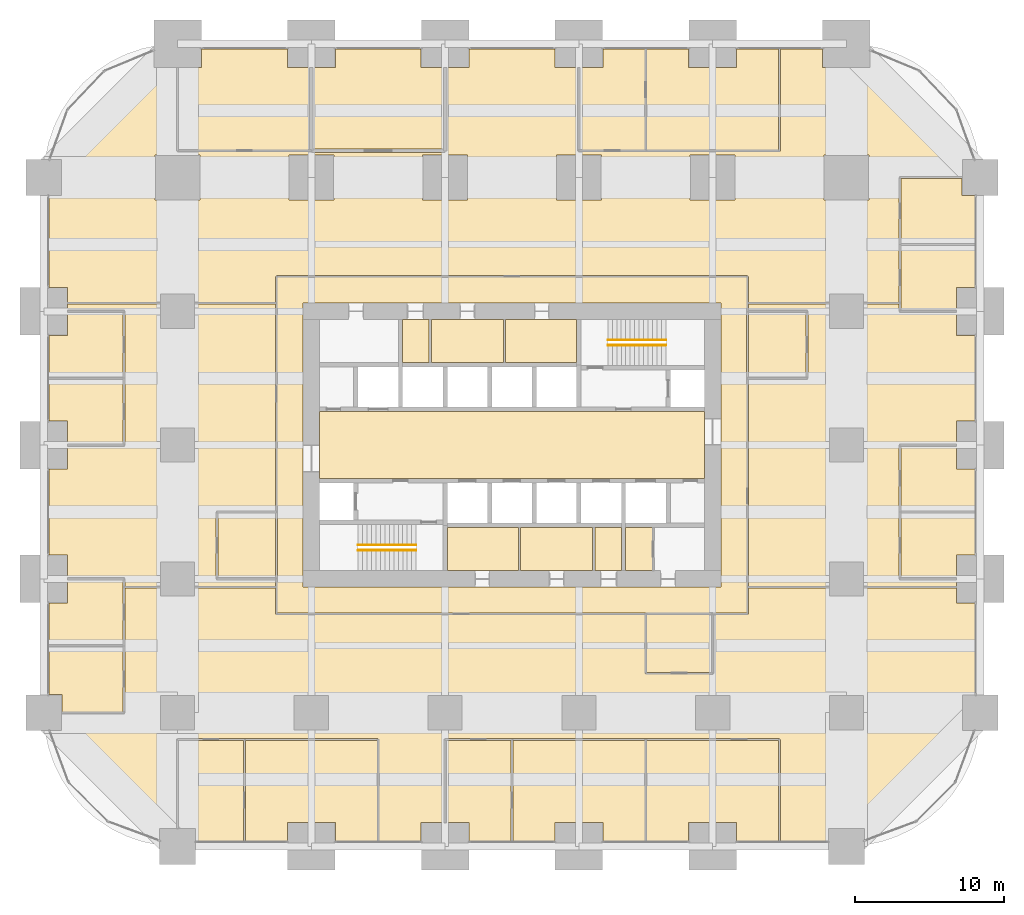
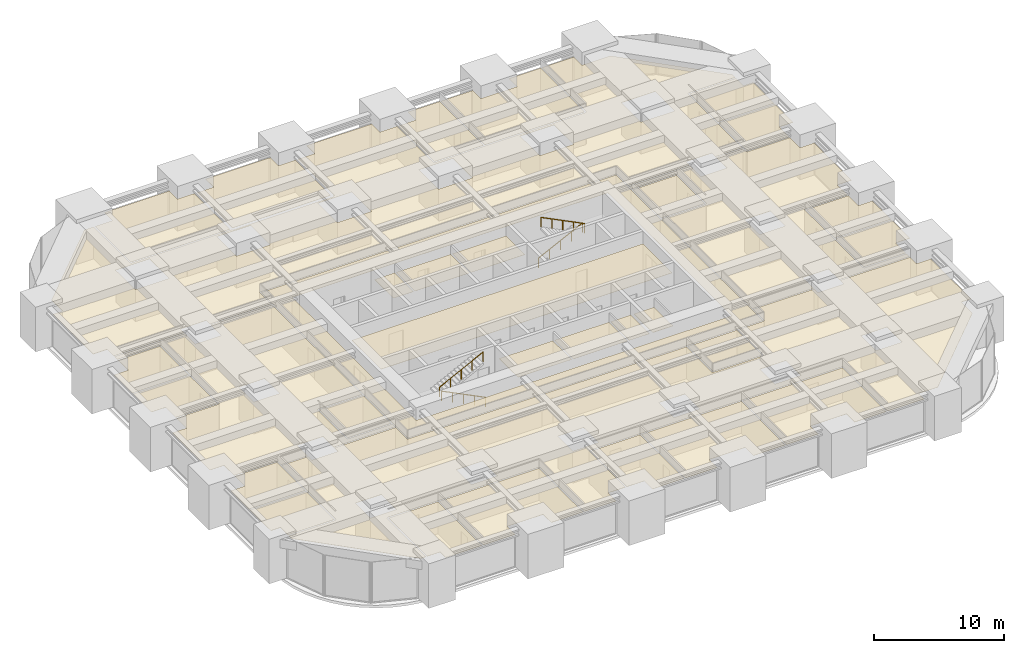
# One storey, part 42 of 42: 33 coverings, 4 railings.
"""IFC4 building model written with IfcOpenShell, lengths in metres."""

from ifc_helpers import new_model, si_unit, direction, frame, origin, origin_2d, place, context, subcontext, project, spatial, polyline, circle, outline, extrude, material, layer, layer_set, type_object, element, save


model = new_model("IFC4")

# Units and contexts
model_context = context("Model", 3, precision=1e-05, world=origin(), true_north=direction((0.0, 1.0)))
body_context = subcontext(model_context, "Body", "Model", "MODEL_VIEW")
ifc_project = project(units=[si_unit("LENGTHUNIT", "METRE"), si_unit("AREAUNIT", "SQUARE_METRE"), si_unit("VOLUMEUNIT", "CUBIC_METRE"), si_unit("PLANEANGLEUNIT", "RADIAN"), si_unit("MASSUNIT", "GRAM", prefix="KILO")], contexts=[model_context])

# Site, building, storey
site_placement = place(None, origin())
site = spatial("IfcSite", under=ifc_project, at=site_placement, CompositionType="ELEMENT")
building_placement = place(site_placement, origin())
building = spatial("IfcBuilding", under=site, at=building_placement, Name="Zorevar Civic Tower", CompositionType="ELEMENT")
storey_placement = place(building_placement, frame((0.0, 0.0, 75.800048828125)))
storey = spatial("IfcBuildingStorey", under=building, at=storey_placement, Name="L18", CompositionType="ELEMENT", Elevation=75.800048828125)

# Railings
ifc_material_1 = material(Name="Black steel handrail", Category="steel")
railing_type = type_object("IfcRailingType", Name="Handrail HR1 900", PredefinedType="HANDRAIL", material=ifc_material_1)
railing_1_placement = place(storey_placement, frame((25.050048828125, 19.925048828125, 0.14990234375)))
element("IfcRailing", 1, at=railing_1_placement, inside=storey, type_object=railing_type, Name="Handrail HR1 ST1 L18", PredefinedType="HANDRAIL", context=body_context, shape_type="SweptSolid", body=[
    extrude(circle(Radius=0.02392578125, at=origin_2d()), frame((0.0, 0.0, 0.8759765625), z_axis=(-0.894438388696, 0.0, 0.447191199406), x_axis=(0.0, -1.0, 0.0)), (0.0, 0.0, 1.0), 4.3603515625),
    extrude(circle(Radius=0.02099609375, at=origin_2d()), origin(), (0.0, 0.0, 1.0), 0.851806640625),
    extrude(circle(Radius=0.02099609375, at=origin_2d()), frame((-0.97509765625, 0.0, 0.487548828125)), (0.0, 0.0, 1.0), 0.851806640625),
    extrude(circle(Radius=0.02099609375, at=origin_2d()), frame((-1.9501953125, 0.0, 0.97509765625)), (0.0, 0.0, 1.0), 0.851806640625),
    extrude(circle(Radius=0.02099609375, at=origin_2d()), frame((-2.925048828125, 0.0, 1.46240234375)), (0.0, 0.0, 1.0), 0.851806640625),
    extrude(circle(Radius=0.02099609375, at=origin_2d()), frame((-3.900146484375, 0.0, 1.949951171875)), (0.0, 0.0, 1.0), 0.851806640625),
])
for number, where, name in (
    (2, (21.14990234375, 20.27490234375, 2.25), "Handrail HR1 ST1 L18"),
    (3, (37.949951171875, 34.074951171875, 0.14990234375), "Handrail HR1 ST2 L18"),
):
    element("IfcRailing", number, at=place(storey_placement, frame(where)), inside=storey, type_object=railing_type, Name=name, PredefinedType="HANDRAIL", context=body_context, shape_type="SweptSolid", body=[
        extrude(circle(Radius=0.02392578125, at=origin_2d()), frame((0.0, 0.0, 0.8759765625), z_axis=(0.894438388696, 0.0, 0.447191199406), x_axis=(0.0, 1.0, 0.0)), (0.0, 0.0, 1.0), 4.3603515625),
        extrude(circle(Radius=0.02099609375, at=origin_2d()), origin(), (0.0, 0.0, 1.0), 0.851806640625),
        extrude(circle(Radius=0.02099609375, at=origin_2d()), frame((0.97509765625, 0.0, 0.487548828125)), (0.0, 0.0, 1.0), 0.851806640625),
        extrude(circle(Radius=0.02099609375, at=origin_2d()), frame((1.9501953125, 0.0, 0.97509765625)), (0.0, 0.0, 1.0), 0.851806640625),
        extrude(circle(Radius=0.02099609375, at=origin_2d()), frame((2.925048828125, 0.0, 1.46240234375)), (0.0, 0.0, 1.0), 0.851806640625),
        extrude(circle(Radius=0.02099609375, at=origin_2d()), frame((3.900146484375, 0.0, 1.949951171875)), (0.0, 0.0, 1.0), 0.851806640625),
    ])
railing_2_placement = place(storey_placement, frame((41.85009765625, 33.72509765625, 2.25)))
element("IfcRailing", 4, at=railing_2_placement, inside=storey, type_object=railing_type, Name="Handrail HR1 ST2 L18", PredefinedType="HANDRAIL", context=body_context, shape_type="SweptSolid", body=[
    extrude(circle(Radius=0.02392578125, at=origin_2d()), frame((0.0, 0.0, 0.8759765625), z_axis=(-0.894438388696, 0.0, 0.447191199406), x_axis=(0.0, -1.0, 0.0)), (0.0, 0.0, 1.0), 4.3603515625),
    extrude(circle(Radius=0.02099609375, at=origin_2d()), origin(), (0.0, 0.0, 1.0), 0.851806640625),
    extrude(circle(Radius=0.02099609375, at=origin_2d()), frame((-0.97509765625, 0.0, 0.487548828125)), (0.0, 0.0, 1.0), 0.851806640625),
    extrude(circle(Radius=0.02099609375, at=origin_2d()), frame((-1.9501953125, 0.0, 0.97509765625)), (0.0, 0.0, 1.0), 0.851806640625),
    extrude(circle(Radius=0.02099609375, at=origin_2d()), frame((-2.925048828125, 0.0, 1.46240234375)), (0.0, 0.0, 1.0), 0.851806640625),
    extrude(circle(Radius=0.02099609375, at=origin_2d()), frame((-3.900146484375, 0.0, 1.949951171875)), (0.0, 0.0, 1.0), 0.851806640625),
])

# Coverings
ifc_material_2 = material(Name="Moisture-resistant gypsum board")
ifc_layer_1 = layer(ifc_material_2, 0.012451171875)
ifc_layer_set_1 = layer_set([ifc_layer_1], Name="Moisture-resistant ceiling SC3")
covering_type_1 = type_object("IfcCoveringType", Name="Moisture-resistant ceiling SC3", PredefinedType="CEILING", material=ifc_layer_set_1)
covering_1_placement = place(storey_placement, frame((0.0, 0.0, 3.0)))
element("IfcCovering", 5, at=covering_1_placement, inside=storey, type_object=covering_type_1, Name="Ceiling L18-05", PredefinedType="CEILING", context=body_context, shape_type="SweptSolid", body=[
    extrude(outline(polyline([(31.925048828125, 18.550048828125), (31.925048828125, 21.449951171875), (27.14990234375, 21.449951171875), (27.14990234375, 18.550048828125), (31.925048828125, 18.550048828125)])), origin(), (0.0, 0.0, 1.0), 0.012451171875),
])
covering_2_placement = place(storey_placement, frame((0.0, 0.0, 3.0)))
element("IfcCovering", 6, at=covering_2_placement, inside=storey, type_object=covering_type_1, Name="Ceiling L18-06", PredefinedType="CEILING", context=body_context, shape_type="SweptSolid", body=[
    extrude(outline(polyline([(36.925048828125, 18.550048828125), (36.925048828125, 21.449951171875), (32.074951171875, 21.449951171875), (32.074951171875, 18.550048828125), (36.925048828125, 18.550048828125)])), origin(), (0.0, 0.0, 1.0), 0.012451171875),
])
covering_3_placement = place(storey_placement, frame((0.0, 0.0, 3.0)))
element("IfcCovering", 7, at=covering_3_placement, inside=storey, type_object=covering_type_1, Name="Ceiling L18-07", PredefinedType="CEILING", context=body_context, shape_type="SweptSolid", body=[
    extrude(outline(polyline([(38.85009765625, 18.550048828125), (38.85009765625, 21.449951171875), (37.074951171875, 21.449951171875), (37.074951171875, 18.550048828125), (38.85009765625, 18.550048828125)])), origin(), (0.0, 0.0, 1.0), 0.012451171875),
])
covering_4_placement = place(storey_placement, frame((0.0, 0.0, 3.0)))
element("IfcCovering", 8, at=covering_4_placement, inside=storey, type_object=covering_type_1, Name="Ceiling L18-08", PredefinedType="CEILING", context=body_context, shape_type="SweptSolid", body=[
    extrude(outline(polyline([(35.85009765625, 32.550048828125), (35.85009765625, 35.449951171875), (31.074951171875, 35.449951171875), (31.074951171875, 32.550048828125), (35.85009765625, 32.550048828125)])), origin(), (0.0, 0.0, 1.0), 0.012451171875),
])
covering_5_placement = place(storey_placement, frame((0.0, 0.0, 3.0)))
element("IfcCovering", 9, at=covering_5_placement, inside=storey, type_object=covering_type_1, Name="Ceiling L18-09", PredefinedType="CEILING", context=body_context, shape_type="SweptSolid", body=[
    extrude(outline(polyline([(30.925048828125, 32.550048828125), (30.925048828125, 35.449951171875), (26.074951171875, 35.449951171875), (26.074951171875, 32.550048828125), (30.925048828125, 32.550048828125)])), origin(), (0.0, 0.0, 1.0), 0.012451171875),
])
covering_6_placement = place(storey_placement, frame((0.0, 0.0, 3.0)))
element("IfcCovering", 10, at=covering_6_placement, inside=storey, type_object=covering_type_1, Name="Ceiling L18-10", PredefinedType="CEILING", context=body_context, shape_type="SweptSolid", body=[
    extrude(outline(polyline([(25.925048828125, 32.550048828125), (25.925048828125, 35.449951171875), (24.14990234375, 35.449951171875), (24.14990234375, 32.550048828125), (25.925048828125, 32.550048828125)])), origin(), (0.0, 0.0, 1.0), 0.012451171875),
])
ifc_material_3 = material(Name="Mineral fibre tiles on a concealed grid")
ifc_layer_2 = layer(ifc_material_3, 0.02001953125)
ifc_layer_set_2 = layer_set([ifc_layer_2], Name="Suspended ceiling SC1")
covering_type_2 = type_object("IfcCoveringType", Name="Suspended ceiling SC1", PredefinedType="CEILING", material=ifc_layer_set_2)
covering_7_placement = place(storey_placement, frame((0.0, 0.0, 3.0)))
element("IfcCovering", 11, at=covering_7_placement, inside=storey, type_object=covering_type_2, Name="Ceiling L18-11", PredefinedType="CEILING", context=body_context, shape_type="SweptSolid", body=[
    extrude(outline(polyline([(40.93994140625, 18.550048828125), (40.93994140625, 21.449951171875), (39.14990234375, 21.449951171875), (39.14990234375, 18.550048828125), (40.93994140625, 18.550048828125)])), origin(), (0.0, 0.0, 1.0), 0.02001953125),
])
covering_8_placement = place(storey_placement, frame((0.0, 0.0, 3.0)))
element("IfcCovering", 12, at=covering_8_placement, inside=storey, type_object=covering_type_2, Name="Ceiling L18-16", PredefinedType="CEILING", context=body_context, shape_type="SweptSolid", body=[
    extrude(outline(polyline([(44.449951171875, 24.75), (44.449951171875, 29.25), (18.550048828125, 29.25), (18.550048828125, 24.75), (44.449951171875, 24.75)])), origin(), (0.0, 0.0, 1.0), 0.02001953125),
])
covering_9_placement = place(storey_placement, frame((0.0, 0.0, 3.0)))
element("IfcCovering", 13, at=covering_9_placement, inside=storey, type_object=covering_type_2, Name="Ceiling L18-17", PredefinedType="CEILING", context=body_context, shape_type="SweptSolid", body=[
    extrude(outline(polyline([(10.610107421875, 52.389892578125), (10.610107421875, 53.64990234375), (16.389892578125, 53.64990234375), (16.389892578125, 52.389892578125), (17.875, 52.389892578125), (17.875, 46.860107421875), (9.06005859375, 46.860107421875), (9.06005859375, 52.389892578125), (10.610107421875, 52.389892578125)])), origin(), (0.0, 0.0, 1.0), 0.02001953125),
])
covering_10_placement = place(storey_placement, frame((0.0, 0.0, 3.0)))
element("IfcCovering", 14, at=covering_10_placement, inside=storey, type_object=covering_type_2, Name="Ceiling L18-18", PredefinedType="CEILING", context=body_context, shape_type="SweptSolid", body=[
    extrude(outline(polyline([(19.610107421875, 52.389892578125), (19.610107421875, 53.64990234375), (25.389892578125, 53.64990234375), (25.389892578125, 52.389892578125), (26.875, 52.389892578125), (26.875, 46.925048828125), (18.125, 46.925048828125), (18.125, 52.389892578125), (19.610107421875, 52.389892578125)])), origin(), (0.0, 0.0, 1.0), 0.02001953125),
])
covering_11_placement = place(storey_placement, frame((0.0, 0.0, 3.0)))
element("IfcCovering", 15, at=covering_11_placement, inside=storey, type_object=covering_type_2, Name="Ceiling L18-19", PredefinedType="CEILING", context=body_context, shape_type="SweptSolid", body=[
    extrude(outline(polyline([(36.06005859375, 46.860107421875), (36.06005859375, 52.389892578125), (37.610107421875, 52.389892578125), (37.610107421875, 53.64990234375), (40.43994140625, 53.64990234375), (40.43994140625, 46.860107421875), (36.06005859375, 46.860107421875)])), origin(), (0.0, 0.0, 1.0), 0.02001953125),
])
covering_12_placement = place(storey_placement, frame((0.0, 0.0, 3.0)))
element("IfcCovering", 16, at=covering_12_placement, inside=storey, type_object=covering_type_2, Name="Ceiling L18-20", PredefinedType="CEILING", context=body_context, shape_type="SweptSolid", body=[
    extrude(outline(polyline([(40.56005859375, 46.860107421875), (40.56005859375, 53.64990234375), (43.389892578125, 53.64990234375), (43.389892578125, 52.389892578125), (46.610107421875, 52.389892578125), (46.610107421875, 53.64990234375), (49.43994140625, 53.64990234375), (49.43994140625, 46.860107421875), (40.56005859375, 46.860107421875)])), origin(), (0.0, 0.0, 1.0), 0.02001953125),
])
covering_13_placement = place(storey_placement, frame((0.0, 0.0, 3.0)))
element("IfcCovering", 17, at=covering_13_placement, inside=storey, type_object=covering_type_2, Name="Ceiling L18-21", PredefinedType="CEILING", context=body_context, shape_type="SweptSolid", body=[
    extrude(outline(polyline([(13.43994140625, 7.139892578125), (13.43994140625, 0.35009765625), (10.2099609375, 0.35009765625), (10.2099609375, 1.2099609375), (9.06005859375, 1.2099609375), (9.06005859375, 7.139892578125), (13.43994140625, 7.139892578125)])), origin(), (0.0, 0.0, 1.0), 0.02001953125),
])
covering_14_placement = place(storey_placement, frame((0.0, 0.0, 3.0)))
element("IfcCovering", 18, at=covering_14_placement, inside=storey, type_object=covering_type_2, Name="Ceiling L18-22", PredefinedType="CEILING", context=body_context, shape_type="SweptSolid", body=[
    extrude(outline(polyline([(22.43994140625, 7.139892578125), (22.43994140625, 0.35009765625), (19.610107421875, 0.35009765625), (19.610107421875, 1.610107421875), (16.389892578125, 1.610107421875), (16.389892578125, 0.35009765625), (13.56005859375, 0.35009765625), (13.56005859375, 7.139892578125), (22.43994140625, 7.139892578125)])), origin(), (0.0, 0.0, 1.0), 0.02001953125),
])
covering_15_placement = place(storey_placement, frame((0.0, 0.0, 3.0)))
element("IfcCovering", 19, at=covering_15_placement, inside=storey, type_object=covering_type_2, Name="Ceiling L18-23", PredefinedType="CEILING", context=body_context, shape_type="SweptSolid", body=[
    extrude(outline(polyline([(31.43994140625, 7.139892578125), (31.43994140625, 0.35009765625), (28.610107421875, 0.35009765625), (28.610107421875, 1.610107421875), (27.06005859375, 1.610107421875), (27.06005859375, 7.139892578125), (31.43994140625, 7.139892578125)])), origin(), (0.0, 0.0, 1.0), 0.02001953125),
])
covering_16_placement = place(storey_placement, frame((0.0, 0.0, 3.0)))
element("IfcCovering", 20, at=covering_16_placement, inside=storey, type_object=covering_type_2, Name="Ceiling L18-24", PredefinedType="CEILING", context=body_context, shape_type="SweptSolid", body=[
    extrude(outline(polyline([(40.43994140625, 7.139892578125), (40.43994140625, 0.35009765625), (37.610107421875, 0.35009765625), (37.610107421875, 1.610107421875), (34.389892578125, 1.610107421875), (34.389892578125, 0.35009765625), (31.56005859375, 0.35009765625), (31.56005859375, 7.139892578125), (40.43994140625, 7.139892578125)])), origin(), (0.0, 0.0, 1.0), 0.02001953125),
])
covering_17_placement = place(storey_placement, frame((0.0, 0.0, 3.0)))
element("IfcCovering", 21, at=covering_17_placement, inside=storey, type_object=covering_type_2, Name="Ceiling L18-25", PredefinedType="CEILING", context=body_context, shape_type="SweptSolid", body=[
    extrude(outline(polyline([(49.43994140625, 7.139892578125), (49.43994140625, 0.35009765625), (46.610107421875, 0.35009765625), (46.610107421875, 1.610107421875), (43.389892578125, 1.610107421875), (43.389892578125, 0.35009765625), (40.56005859375, 0.35009765625), (40.56005859375, 7.139892578125), (49.43994140625, 7.139892578125)])), origin(), (0.0, 0.0, 1.0), 0.02001953125),
])
covering_18_placement = place(storey_placement, frame((0.0, 0.0, 3.0)))
element("IfcCovering", 22, at=covering_18_placement, inside=storey, type_object=covering_type_2, Name="Ceiling L18-26", PredefinedType="CEILING", context=body_context, shape_type="SweptSolid", body=[
    extrude(outline(polyline([(40.56005859375, 15.590087890625), (44.93994140625, 15.590087890625), (44.93994140625, 11.699951171875), (40.56005859375, 11.699951171875), (40.56005859375, 15.590087890625)])), origin(), (0.0, 0.0, 1.0), 0.02001953125),
])
covering_19_placement = place(storey_placement, frame((0.0, 0.0, 3.0)))
element("IfcCovering", 23, at=covering_19_placement, inside=storey, type_object=covering_type_2, Name="Ceiling L18-27", PredefinedType="CEILING", context=body_context, shape_type="SweptSolid", body=[
    extrude(outline(polyline([(11.7099609375, 22.43994140625), (15.590087890625, 22.43994140625), (15.590087890625, 18.06005859375), (11.7099609375, 18.06005859375), (11.7099609375, 22.43994140625)])), origin(), (0.0, 0.0, 1.0), 0.02001953125),
])
covering_20_placement = place(storey_placement, frame((0.0, 0.0, 3.0)))
element("IfcCovering", 24, at=covering_20_placement, inside=storey, type_object=covering_type_2, Name="Ceiling L18-28", PredefinedType="CEILING", context=body_context, shape_type="SweptSolid", body=[
    extrude(outline(polyline([(51.2900390625, 31.56005859375), (47.409912109375, 31.56005859375), (47.409912109375, 35.93994140625), (51.2900390625, 35.93994140625), (51.2900390625, 31.56005859375)])), origin(), (0.0, 0.0, 1.0), 0.02001953125),
])
covering_21_placement = place(storey_placement, frame((0.0, 0.0, 3.0)))
element("IfcCovering", 25, at=covering_21_placement, inside=storey, type_object=covering_type_2, Name="Ceiling L18-29", PredefinedType="CEILING", context=body_context, shape_type="SweptSolid", body=[
    extrude(outline(polyline([(5.340087890625, 9.06005859375), (1.2099609375, 9.06005859375), (1.2099609375, 10.2099609375), (0.35009765625, 10.2099609375), (0.35009765625, 13.43994140625), (5.340087890625, 13.43994140625), (5.340087890625, 9.06005859375)])), origin(), (0.0, 0.0, 1.0), 0.02001953125),
])
covering_22_placement = place(storey_placement, frame((0.0, 0.0, 3.0)))
element("IfcCovering", 26, at=covering_22_placement, inside=storey, type_object=covering_type_2, Name="Ceiling L18-30", PredefinedType="CEILING", context=body_context, shape_type="SweptSolid", body=[
    extrude(outline(polyline([(5.340087890625, 13.56005859375), (0.35009765625, 13.56005859375), (0.35009765625, 16.389892578125), (1.610107421875, 16.389892578125), (1.610107421875, 17.93994140625), (5.340087890625, 17.93994140625), (5.340087890625, 13.56005859375)])), origin(), (0.0, 0.0, 1.0), 0.02001953125),
])
covering_23_placement = place(storey_placement, frame((0.0, 0.0, 3.0)))
element("IfcCovering", 27, at=covering_23_placement, inside=storey, type_object=covering_type_2, Name="Ceiling L18-31", PredefinedType="CEILING", context=body_context, shape_type="SweptSolid", body=[
    extrude(outline(polyline([(5.340087890625, 27.06005859375), (1.610107421875, 27.06005859375), (1.610107421875, 28.610107421875), (0.35009765625, 28.610107421875), (0.35009765625, 31.43994140625), (5.340087890625, 31.43994140625), (5.340087890625, 27.06005859375)])), origin(), (0.0, 0.0, 1.0), 0.02001953125),
])
covering_24_placement = place(storey_placement, frame((0.0, 0.0, 3.0)))
element("IfcCovering", 28, at=covering_24_placement, inside=storey, type_object=covering_type_2, Name="Ceiling L18-32", PredefinedType="CEILING", context=body_context, shape_type="SweptSolid", body=[
    extrude(outline(polyline([(5.340087890625, 31.56005859375), (0.35009765625, 31.56005859375), (0.35009765625, 34.389892578125), (1.610107421875, 34.389892578125), (1.610107421875, 35.93994140625), (5.340087890625, 35.93994140625), (5.340087890625, 31.56005859375)])), origin(), (0.0, 0.0, 1.0), 0.02001953125),
])
covering_25_placement = place(storey_placement, frame((0.0, 0.0, 3.0)))
element("IfcCovering", 29, at=covering_25_placement, inside=storey, type_object=covering_type_2, Name="Ceiling L18-33", PredefinedType="CEILING", context=body_context, shape_type="SweptSolid", body=[
    extrude(outline(polyline([(57.659912109375, 22.43994140625), (62.64990234375, 22.43994140625), (62.64990234375, 19.610107421875), (61.389892578125, 19.610107421875), (61.389892578125, 18.06005859375), (57.659912109375, 18.06005859375), (57.659912109375, 22.43994140625)])), origin(), (0.0, 0.0, 1.0), 0.02001953125),
])
covering_26_placement = place(storey_placement, frame((0.0, 0.0, 3.0)))
element("IfcCovering", 30, at=covering_26_placement, inside=storey, type_object=covering_type_2, Name="Ceiling L18-34", PredefinedType="CEILING", context=body_context, shape_type="SweptSolid", body=[
    extrude(outline(polyline([(57.659912109375, 26.93994140625), (61.389892578125, 26.93994140625), (61.389892578125, 25.389892578125), (62.64990234375, 25.389892578125), (62.64990234375, 22.56005859375), (57.659912109375, 22.56005859375), (57.659912109375, 26.93994140625)])), origin(), (0.0, 0.0, 1.0), 0.02001953125),
])
covering_27_placement = place(storey_placement, frame((0.0, 0.0, 3.0)))
element("IfcCovering", 31, at=covering_27_placement, inside=storey, type_object=covering_type_2, Name="Ceiling L18-35", PredefinedType="CEILING", context=body_context, shape_type="SweptSolid", body=[
    extrude(outline(polyline([(57.659912109375, 40.43994140625), (62.64990234375, 40.43994140625), (62.64990234375, 37.610107421875), (61.389892578125, 37.610107421875), (61.389892578125, 36.06005859375), (57.659912109375, 36.06005859375), (57.659912109375, 40.43994140625)])), origin(), (0.0, 0.0, 1.0), 0.02001953125),
])
covering_28_placement = place(storey_placement, frame((0.0, 0.0, 3.0)))
element("IfcCovering", 32, at=covering_28_placement, inside=storey, type_object=covering_type_2, Name="Ceiling L18-36", PredefinedType="CEILING", context=body_context, shape_type="SweptSolid", body=[
    extrude(outline(polyline([(57.659912109375, 44.93994140625), (61.7900390625, 44.93994140625), (61.7900390625, 43.7900390625), (62.64990234375, 43.7900390625), (62.64990234375, 40.56005859375), (57.659912109375, 40.56005859375), (57.659912109375, 44.93994140625)])), origin(), (0.0, 0.0, 1.0), 0.02001953125),
])
covering_29_placement = place(storey_placement, frame((0.0, 0.0, 3.0)))
element("IfcCovering", 33, at=covering_29_placement, inside=storey, type_object=covering_type_2, Name="Ceiling L18-37", PredefinedType="CEILING", context=body_context, shape_type="SweptSolid", body=[
    extrude(outline(polyline([(15.699951171875, 22.5), (15.699951171875, 38.300048828125), (47.300048828125, 38.300048828125), (47.300048828125, 36.0), (47.2900390625, 36.0), (47.2900390625, 31.5), (47.300048828125, 31.5), (47.300048828125, 15.699951171875), (45.0, 15.699951171875), (45.0, 15.7099609375), (40.5, 15.7099609375), (40.5, 15.699951171875), (15.699951171875, 15.699951171875), (15.699951171875, 18.0), (15.7099609375, 18.0), (15.7099609375, 22.5), (15.699951171875, 22.5)]), holes=[polyline([(45.550048828125, 36.550048828125), (17.449951171875, 36.550048828125), (17.449951171875, 17.449951171875), (45.550048828125, 17.449951171875), (45.550048828125, 36.550048828125)])]), origin(), (0.0, 0.0, 1.0), 0.02001953125),
])
covering_30_placement = place(storey_placement, frame((0.0, 0.0, 3.0)))
element("IfcCovering", 34, at=covering_30_placement, inside=storey, type_object=covering_type_2, Name="Ceiling L18-38", PredefinedType="CEILING", context=body_context, shape_type="SweptSolid", body=[
    extrude(outline(polyline([(52.840087890625, 17.5), (47.39990234375, 17.5), (47.39990234375, 31.43994140625), (51.35009765625, 31.43994140625), (51.35009765625, 31.5), (51.409912109375, 31.5), (51.409912109375, 36.0), (51.35009765625, 36.0), (51.35009765625, 36.06005859375), (47.39990234375, 36.06005859375), (47.39990234375, 36.5), (52.840087890625, 36.5), (52.840087890625, 34.840087890625), (55.159912109375, 34.840087890625), (55.159912109375, 36.5), (57.5400390625, 36.5), (57.5400390625, 36.0), (57.60009765625, 36.0), (57.60009765625, 35.93994140625), (61.389892578125, 35.93994140625), (61.389892578125, 34.389892578125), (62.64990234375, 34.389892578125), (62.64990234375, 28.610107421875), (61.389892578125, 28.610107421875), (61.389892578125, 27.06005859375), (57.60009765625, 27.06005859375), (57.60009765625, 27.0), (57.5400390625, 27.0), (57.5400390625, 18.0), (57.60009765625, 18.0), (57.60009765625, 17.93994140625), (61.389892578125, 17.93994140625), (61.389892578125, 17.5), (55.159912109375, 17.5), (55.159912109375, 19.159912109375), (52.840087890625, 19.159912109375), (52.840087890625, 17.5)]), holes=[polyline([(55.159912109375, 28.159912109375), (52.840087890625, 28.159912109375), (52.840087890625, 25.840087890625), (55.159912109375, 25.840087890625), (55.159912109375, 28.159912109375)])]), origin(), (0.0, 0.0, 1.0), 0.02001953125),
])
covering_31_placement = place(storey_placement, frame((0.0, 0.0, 3.0)))
element("IfcCovering", 35, at=covering_31_placement, inside=storey, type_object=covering_type_2, Name="Ceiling L18-39", PredefinedType="CEILING", context=body_context, shape_type="SweptSolid", body=[
    extrude(outline(polyline([(52.389892578125, 53.64990234375), (52.389892578125, 52.389892578125), (54.90283203125, 52.389892578125), (61.7900390625, 45.5029296875), (61.7900390625, 45.06005859375), (57.60009765625, 45.06005859375), (57.60009765625, 45.0), (57.5400390625, 45.0), (57.5400390625, 36.60009765625), (55.159912109375, 36.60009765625), (55.159912109375, 37.159912109375), (52.840087890625, 37.159912109375), (52.840087890625, 36.60009765625), (47.39990234375, 36.60009765625), (47.39990234375, 38.35009765625), (47.35009765625, 38.35009765625), (47.35009765625, 38.39990234375), (15.64990234375, 38.39990234375), (15.64990234375, 38.35009765625), (15.60009765625, 38.35009765625), (15.60009765625, 36.60009765625), (10.159912109375, 36.60009765625), (10.159912109375, 37.159912109375), (7.840087890625, 37.159912109375), (7.840087890625, 36.60009765625), (1.610107421875, 36.60009765625), (1.610107421875, 37.610107421875), (0.35009765625, 37.610107421875), (0.35009765625, 43.7900390625), (1.2099609375, 43.7900390625), (1.2099609375, 45.5029296875), (8.09716796875, 52.389892578125), (8.93994140625, 52.389892578125), (8.93994140625, 46.800048828125), (9.0, 46.800048828125), (9.0, 46.739990234375), (18.0, 46.739990234375), (18.0, 46.675048828125), (27.0, 46.675048828125), (27.0, 46.800048828125), (27.125, 46.800048828125), (27.125, 52.389892578125), (28.610107421875, 52.389892578125), (28.610107421875, 53.64990234375), (34.389892578125, 53.64990234375), (34.389892578125, 52.389892578125), (35.93994140625, 52.389892578125), (35.93994140625, 46.800048828125), (36.0, 46.800048828125), (36.0, 46.739990234375), (49.5, 46.739990234375), (49.5, 46.800048828125), (49.56005859375, 46.800048828125), (49.56005859375, 53.64990234375), (52.389892578125, 53.64990234375)]), holes=[polyline([(7.489990234375, 46.510009765625), (7.489990234375, 43.489990234375), (10.510009765625, 43.489990234375), (10.510009765625, 46.510009765625), (7.489990234375, 46.510009765625)]), polyline([(19.510009765625, 43.489990234375), (19.510009765625, 46.510009765625), (16.489990234375, 46.510009765625), (16.489990234375, 43.489990234375), (19.510009765625, 43.489990234375)]), polyline([(25.489990234375, 43.489990234375), (28.510009765625, 43.489990234375), (28.510009765625, 46.510009765625), (25.489990234375, 46.510009765625), (25.489990234375, 43.489990234375)]), polyline([(37.510009765625, 46.510009765625), (34.489990234375, 46.510009765625), (34.489990234375, 43.489990234375), (37.510009765625, 43.489990234375), (37.510009765625, 46.510009765625)]), polyline([(43.489990234375, 43.489990234375), (46.510009765625, 43.489990234375), (46.510009765625, 46.510009765625), (43.489990234375, 46.510009765625), (43.489990234375, 43.489990234375)]), polyline([(55.510009765625, 46.510009765625), (52.489990234375, 46.510009765625), (52.489990234375, 43.489990234375), (55.510009765625, 43.489990234375), (55.510009765625, 46.510009765625)])]), origin(), (0.0, 0.0, 1.0), 0.02001953125),
])
covering_32_placement = place(storey_placement, frame((0.0, 0.0, 3.0)))
element("IfcCovering", 36, at=covering_32_placement, inside=storey, type_object=covering_type_2, Name="Ceiling L18-40", PredefinedType="CEILING", context=body_context, shape_type="SweptSolid", body=[
    extrude(outline(polyline([(1.2099609375, 8.93994140625), (5.39990234375, 8.93994140625), (5.39990234375, 9.0), (5.4599609375, 9.0), (5.4599609375, 17.39990234375), (7.840087890625, 17.39990234375), (7.840087890625, 16.840087890625), (10.159912109375, 16.840087890625), (10.159912109375, 17.39990234375), (15.60009765625, 17.39990234375), (15.60009765625, 15.64990234375), (15.64990234375, 15.64990234375), (15.64990234375, 15.60009765625), (40.43994140625, 15.60009765625), (40.43994140625, 11.64990234375), (40.5, 11.64990234375), (40.5, 11.60009765625), (45.0, 11.60009765625), (45.0, 11.64990234375), (45.06005859375, 11.64990234375), (45.06005859375, 15.60009765625), (47.35009765625, 15.60009765625), (47.35009765625, 15.64990234375), (47.39990234375, 15.64990234375), (47.39990234375, 17.39990234375), (52.840087890625, 17.39990234375), (52.840087890625, 16.840087890625), (55.159912109375, 16.840087890625), (55.159912109375, 17.39990234375), (61.389892578125, 17.39990234375), (61.389892578125, 16.389892578125), (62.64990234375, 16.389892578125), (62.64990234375, 10.2099609375), (61.7900390625, 10.2099609375), (61.7900390625, 8.4970703125), (54.5029296875, 1.2099609375), (52.7900390625, 1.2099609375), (52.7900390625, 0.35009765625), (49.56005859375, 0.35009765625), (49.56005859375, 7.199951171875), (49.5, 7.199951171875), (49.5, 7.260009765625), (27.0, 7.260009765625), (27.0, 7.199951171875), (26.93994140625, 7.199951171875), (26.93994140625, 1.610107421875), (25.389892578125, 1.610107421875), (25.389892578125, 0.35009765625), (22.56005859375, 0.35009765625), (22.56005859375, 7.199951171875), (22.5, 7.199951171875), (22.5, 7.260009765625), (9.0, 7.260009765625), (9.0, 7.199951171875), (8.93994140625, 7.199951171875), (8.93994140625, 1.2099609375), (8.4970703125, 1.2099609375), (1.2099609375, 8.4970703125), (1.2099609375, 8.93994140625)]), holes=[polyline([(7.840087890625, 10.159912109375), (7.840087890625, 7.840087890625), (10.159912109375, 7.840087890625), (10.159912109375, 10.159912109375), (7.840087890625, 10.159912109375)]), polyline([(19.159912109375, 7.840087890625), (19.159912109375, 10.159912109375), (16.840087890625, 10.159912109375), (16.840087890625, 7.840087890625), (19.159912109375, 7.840087890625)]), polyline([(25.840087890625, 10.159912109375), (25.840087890625, 7.840087890625), (28.159912109375, 7.840087890625), (28.159912109375, 10.159912109375), (25.840087890625, 10.159912109375)]), polyline([(37.159912109375, 10.159912109375), (34.840087890625, 10.159912109375), (34.840087890625, 7.840087890625), (37.159912109375, 7.840087890625), (37.159912109375, 10.159912109375)]), polyline([(46.159912109375, 7.840087890625), (46.159912109375, 10.159912109375), (43.840087890625, 10.159912109375), (43.840087890625, 7.840087890625), (46.159912109375, 7.840087890625)]), polyline([(52.840087890625, 10.159912109375), (52.840087890625, 7.840087890625), (55.159912109375, 7.840087890625), (55.159912109375, 10.159912109375), (52.840087890625, 10.159912109375)])]), origin(), (0.0, 0.0, 1.0), 0.02001953125),
])
covering_33_placement = place(storey_placement, frame((0.0, 0.0, 3.0)))
element("IfcCovering", 37, at=covering_33_placement, inside=storey, type_object=covering_type_2, Name="Ceiling L18-41", PredefinedType="CEILING", context=body_context, shape_type="SweptSolid", body=[
    extrude(outline(polyline([(15.60009765625, 36.5), (15.60009765625, 22.56005859375), (11.64990234375, 22.56005859375), (11.64990234375, 22.5), (11.590087890625, 22.5), (11.590087890625, 18.0), (11.64990234375, 18.0), (11.64990234375, 17.93994140625), (15.60009765625, 17.93994140625), (15.60009765625, 17.5), (10.159912109375, 17.5), (10.159912109375, 19.159912109375), (7.840087890625, 19.159912109375), (7.840087890625, 17.5), (5.4599609375, 17.5), (5.4599609375, 18.0), (5.39990234375, 18.0), (5.39990234375, 18.06005859375), (1.610107421875, 18.06005859375), (1.610107421875, 19.610107421875), (0.35009765625, 19.610107421875), (0.35009765625, 25.389892578125), (1.610107421875, 25.389892578125), (1.610107421875, 26.93994140625), (5.39990234375, 26.93994140625), (5.39990234375, 27.0), (5.4599609375, 27.0), (5.4599609375, 36.0), (5.39990234375, 36.0), (5.39990234375, 36.06005859375), (1.610107421875, 36.06005859375), (1.610107421875, 36.5), (7.840087890625, 36.5), (7.840087890625, 34.840087890625), (10.159912109375, 34.840087890625), (10.159912109375, 36.5), (15.60009765625, 36.5)]), holes=[polyline([(7.840087890625, 28.159912109375), (7.840087890625, 25.840087890625), (10.159912109375, 25.840087890625), (10.159912109375, 28.159912109375), (7.840087890625, 28.159912109375)])]), origin(), (0.0, 0.0, 1.0), 0.02001953125),
])

save(model, "model.ifc")
